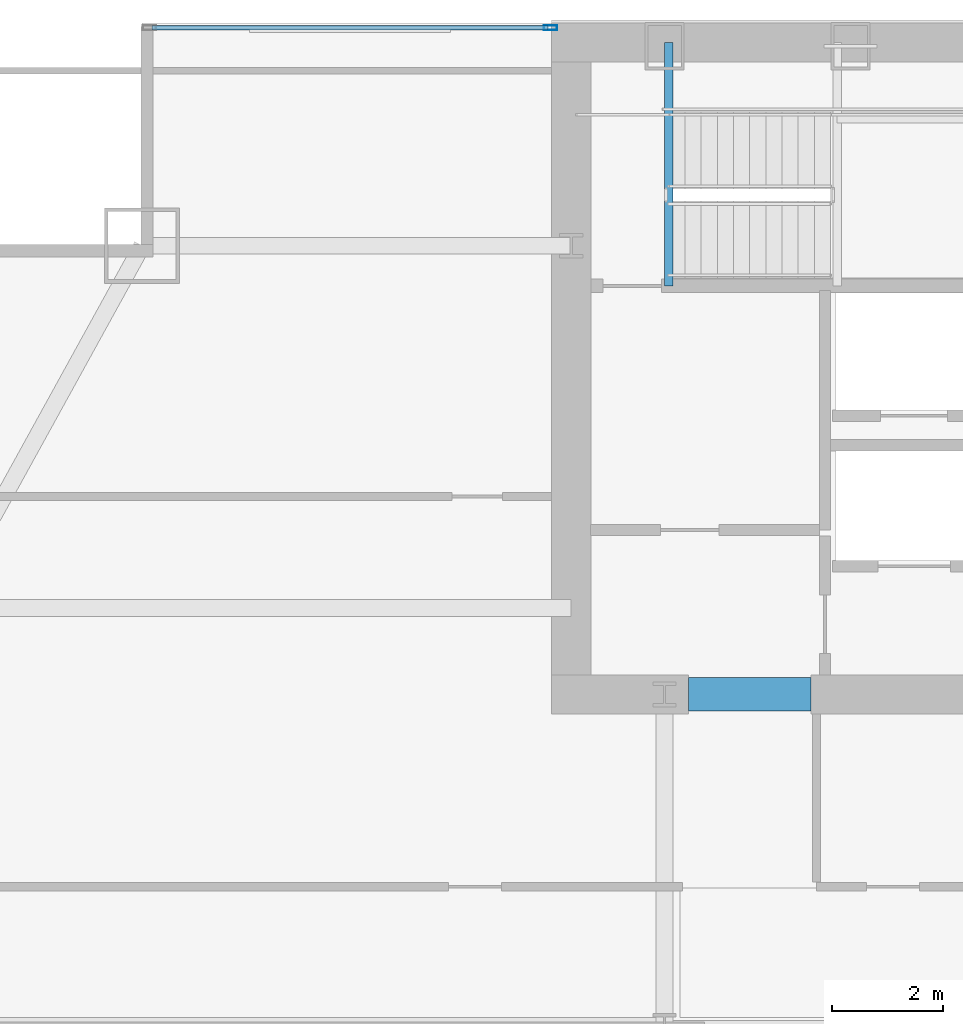
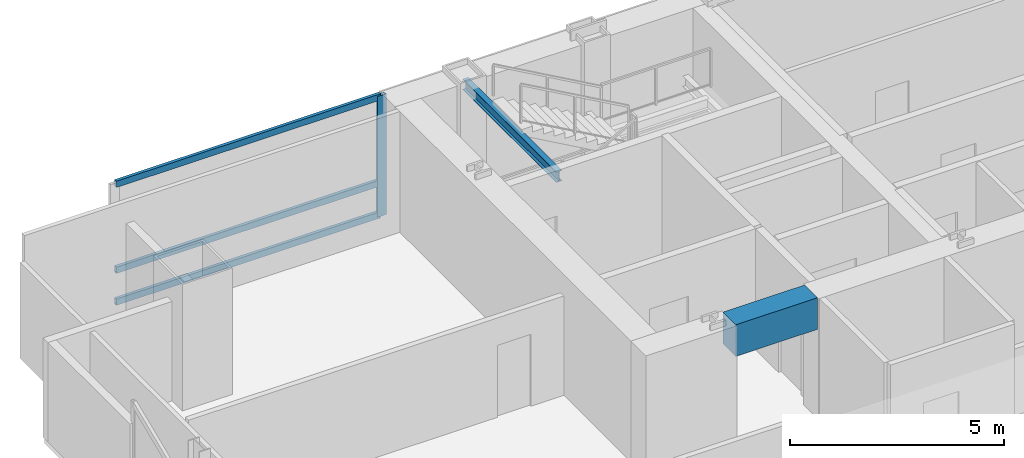
# One storey, part 18 of 29: 4 members, 2 beams, 1 element without a shape of its own.
"""IFC4 building model written with IfcOpenShell, lengths in metres."""

from ifc_helpers import new_model, si_unit, direction, frame, origin, origin_2d, place, context, subcontext, project, spatial, rectangle, hollow_rectangle, i_section, extrude, material, material_profile, profile_set, type_object, element, aggregate, save


model = new_model("IFC4")

# Units and contexts
model_context = context("Model", 3, precision=1e-05, world=origin(), true_north=direction((0.0, 1.0)))
body_context = subcontext(model_context, "Body", "Model", "MODEL_VIEW")
ifc_project = project(units=[si_unit("LENGTHUNIT", "METRE"), si_unit("AREAUNIT", "SQUARE_METRE"), si_unit("VOLUMEUNIT", "CUBIC_METRE"), si_unit("PLANEANGLEUNIT", "RADIAN"), si_unit("MASSUNIT", "GRAM", prefix="KILO")], contexts=[model_context])

# Site, building, storey
site_placement = place(None, origin())
site = spatial("IfcSite", under=ifc_project, at=site_placement, CompositionType="ELEMENT")
building_placement = place(site_placement, origin())
building = spatial("IfcBuilding", under=site, at=building_placement, Name="Khoronbel Lancet Exchange", CompositionType="ELEMENT")
storey_placement = place(building_placement, frame((0.0, 0.0, 154.199951171875)))
storey = spatial("IfcBuildingStorey", under=building, at=storey_placement, Name="L38", CompositionType="ELEMENT", Elevation=154.199951171875)

# Beams
ifc_material_1 = material(Name="Steel S355", Category="steel")
ifc_material_profile_1 = material_profile(ifc_material_1, i_section(OverallWidth=0.14990234375, OverallDepth=0.300048828125, WebThickness=0.007080078125, FlangeThickness=0.0107421875, at=origin_2d()), Name="IPE 300")
ifc_profile_set_1 = profile_set([ifc_material_profile_1], Name="Steel S355")
beam_type_1 = type_object("IfcBeamType", Name="BM-BJ8", PredefinedType="JOIST", material=ifc_profile_set_1)
beam_1_placement = place(storey_placement, frame((18.300048828125, 48.97998046875, 3.16015625), z_axis=(0.0, 1.0, 0.0), x_axis=(-1.0, 0.0, 0.0)))
element("IfcBeam", 1, at=beam_1_placement, inside=storey, type_object=beam_type_1, Name="Level L38 stair ST1 upper-flight arrival trimmer beam", PredefinedType="JOIST", context=body_context, shape_type="SweptSolid", body=[
    extrude(i_section(OverallWidth=0.14990234375, OverallDepth=0.300048828125, WebThickness=0.007080078125, FlangeThickness=0.0107421875, at=origin_2d()), origin(), (0.0, 0.0, 1.0), 4.3701171875),
])
ifc_material_2 = material(Name="Concrete C80/95", Category="concrete")
ifc_material_profile_2 = material_profile(ifc_material_2, rectangle(XDim=0.60009765625, YDim=0.89990234375, at=origin_2d()), Name="RC 600x900")
ifc_profile_set_2 = profile_set([ifc_material_profile_2], Name="Concrete C80/95")
beam_type_2 = type_object("IfcBeamType", Name="BM-BL1", PredefinedType="LINTEL", material=ifc_profile_set_2)
beam_2_placement = place(storey_placement, frame((18.64990234375, 41.64990234375, 2.989990234375), z_axis=(1.0, 0.0, 0.0), x_axis=(0.0, 1.0, 0.0)))
element("IfcBeam", 2, at=beam_2_placement, inside=storey, type_object=beam_type_2, Name="Level L38 rear core coupling lintel L1", PredefinedType="LINTEL", context=body_context, shape_type="SweptSolid", body=[
    extrude(rectangle(XDim=0.60009765625, YDim=0.89990234375, at=origin_2d()), origin(), (0.0, 0.0, 1.0), 2.2001953125),
])

# Curtain wall, members
ifc_material_3 = material(Name="Low-E Solar Control Insulating Glass", Category="glass")
curtain_wall_type = type_object("IfcCurtainWallType", Name="CW-3", PredefinedType="NOTDEFINED", material=ifc_material_3)
curtain_wall_placement = place(storey_placement, origin())
curtain_wall = element("IfcCurtainWall", 3, at=curtain_wall_placement, inside=storey, type_object=curtain_wall_type, Name="Unitised curtain wall CW-L38-NWFLK", PredefinedType="NOTDEFINED")
ifc_material_4 = material(Name="Bronze-Anodised Aluminium 6063-T6", Category="aluminium")
ifc_material_profile_3 = material_profile(ifc_material_4, hollow_rectangle(XDim=0.0849609375, YDim=0.239990234375, WallThickness=0.006103515625, at=origin_2d()), Name="ALU MULLION 85x240")
ifc_profile_set_3 = profile_set([ifc_material_profile_3], Name="Bronze-Anodised Aluminium 6063-T6")
member_type_1 = type_object("IfcMemberType", Name="MEM-CWM1", PredefinedType="MULLION", material=ifc_profile_set_3)
member_1_placement = place(storey_placement, frame((16.177490234375, 53.610107421875, 0.0), z_axis=(0.0, 0.0, 1.0), x_axis=(0.0, -1.0, 0.0)))
member_1 = element("IfcMember", 4, at=member_1_placement, type_object=member_type_1, Name="CW3 mullion 1", PredefinedType="MULLION", context=body_context, shape_type="SweptSolid", body=[
    extrude(hollow_rectangle(XDim=0.0849609375, YDim=0.239990234375, WallThickness=0.006103515625, at=origin_2d()), origin(), (0.0, 0.0, 1.0), 3.43994140625),
])
ifc_material_profile_4 = material_profile(ifc_material_4, hollow_rectangle(XDim=0.0849609375, YDim=0.179931640625, WallThickness=0.0048828125, at=origin_2d()), Name="ALU TRANSOM 85x180")
ifc_profile_set_4 = profile_set([ifc_material_profile_4], Name="Bronze-Anodised Aluminium 6063-T6")
member_type_2 = type_object("IfcMemberType", Name="MEM-CWT1", PredefinedType="USERDEFINED", material=ifc_profile_set_4)
member_2_placement = place(storey_placement, frame((16.135009765625, 53.610107421875, 0.04248046875), z_axis=(-1.0, 0.0, 0.0), x_axis=(0.0, -1.0, 0.0)))
member_2 = element("IfcMember", 5, at=member_2_placement, type_object=member_type_2, Name="CW3 transom 1.1", ObjectType="TRANSOM", PredefinedType="USERDEFINED", context=body_context, shape_type="SweptSolid", body=[
    extrude(hollow_rectangle(XDim=0.0849609375, YDim=0.179931640625, WallThickness=0.0048828125, at=origin_2d()), origin(), (0.0, 0.0, 1.0), 7.110107421875),
])
member_3_placement = place(storey_placement, frame((16.135009765625, 53.610107421875, 0.949951171875), z_axis=(-1.0, 0.0, 0.0), x_axis=(0.0, -1.0, 0.0)))
member_3 = element("IfcMember", 6, at=member_3_placement, type_object=member_type_2, Name="CW3 transom 1.2", ObjectType="TRANSOM", PredefinedType="USERDEFINED", context=body_context, shape_type="SweptSolid", body=[
    extrude(hollow_rectangle(XDim=0.0849609375, YDim=0.179931640625, WallThickness=0.0048828125, at=origin_2d()), origin(), (0.0, 0.0, 1.0), 7.110107421875),
])
member_4_placement = place(storey_placement, frame((16.135009765625, 53.610107421875, 3.3974609375), z_axis=(-1.0, 0.0, 0.0), x_axis=(0.0, -1.0, 0.0)))
member_4 = element("IfcMember", 7, at=member_4_placement, type_object=member_type_2, Name="CW3 transom 1.3", ObjectType="TRANSOM", PredefinedType="USERDEFINED", context=body_context, shape_type="SweptSolid", body=[
    extrude(hollow_rectangle(XDim=0.0849609375, YDim=0.179931640625, WallThickness=0.0048828125, at=origin_2d()), origin(), (0.0, 0.0, 1.0), 7.110107421875),
])
aggregate(curtain_wall, [member_1, member_2, member_3, member_4])

save(model, "model.ifc")
